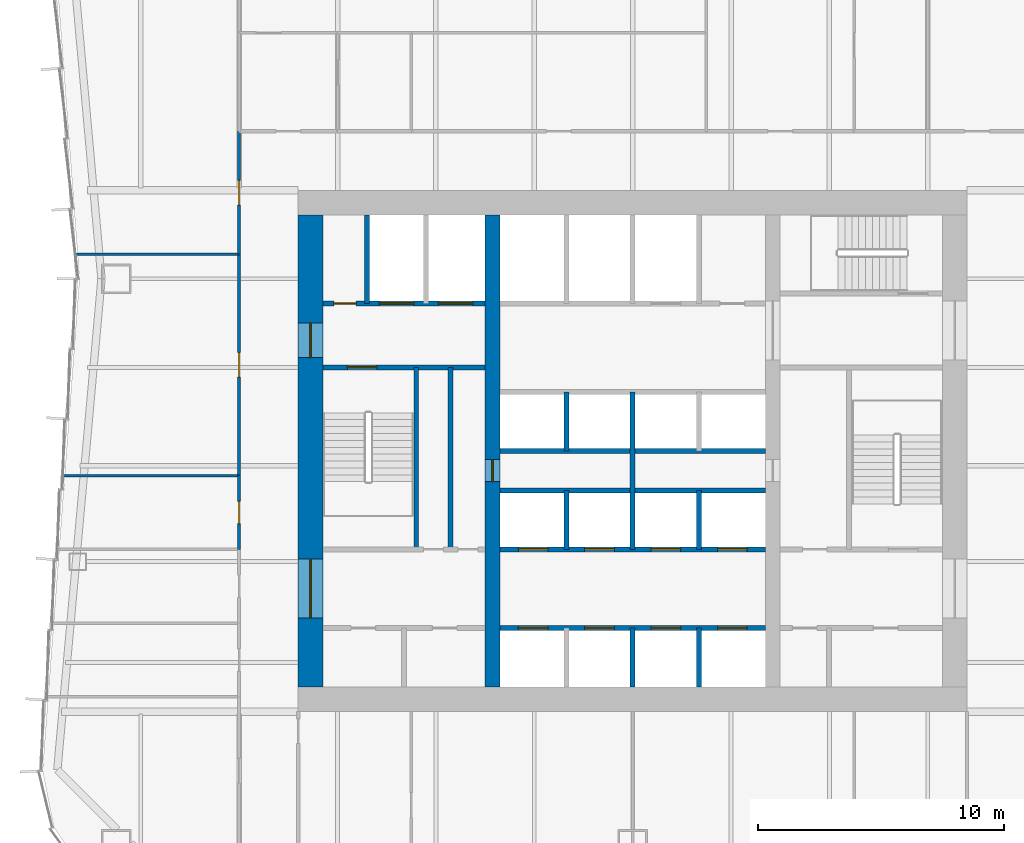
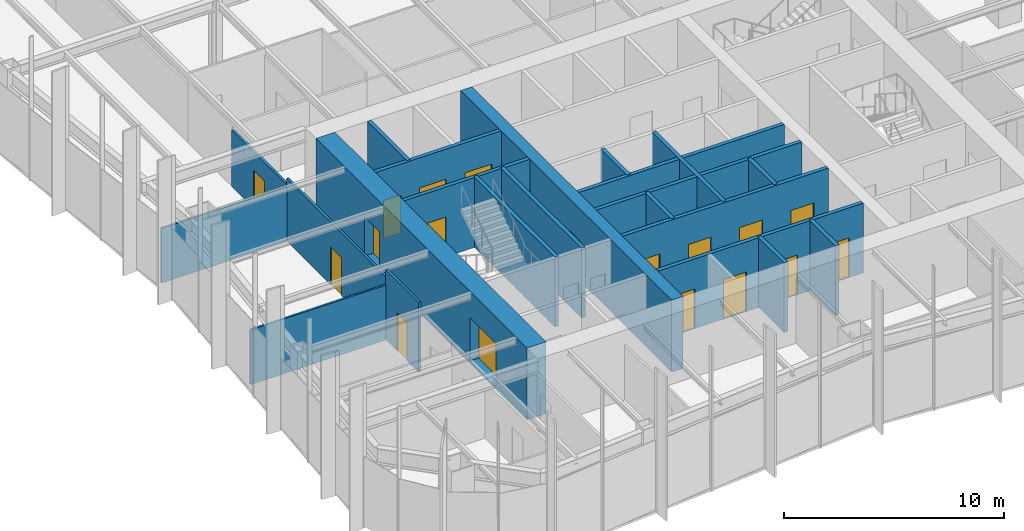
# One storey, part 10 of 14: 22 walls, 18 doors, 18 openings.
"""IFC4 building model written with IfcOpenShell, lengths in metres."""

import ifcopenshell
import ifcopenshell.guid

model = None  # the IFC model being written
_history = None  # IfcOwnerHistory: only IFC2X3 demands one
_inside = {}  # id of a spatial element -> (the spatial element, [elements in it])
_under = {}  # id of a project, library or spatial element -> (it, [spatial elements below it])
_declared = {}  # id of a project -> (the project, [libraries it declares])
_typed = {}  # id of a type object -> (the type object, [elements of that type])
_made_of = {}  # id of a material, layer set ... -> (it, [elements and type objects made of it])


def new_model(schema):
    """Start an empty IFC model of exactly this schema.

    Asked for "IFC4X3", IfcOpenShell would pick the latest addendum, in which some entities
    have other attributes; the version numbers below select the first issue.
    IFC2X3 requires an IfcOwnerHistory on every rooted entity: one is made here for all.
    """
    global model, _history
    if schema == "IFC4X3":
        model = ifcopenshell.file(schema_version=(4, 3, 0, 0))
    else:
        model = ifcopenshell.file(schema=schema)
    _inside.clear()
    _under.clear()
    _declared.clear()
    _typed.clear()
    _made_of.clear()
    _history = None
    if model.schema == "IFC2X3":
        org = make("IfcOrganization", Name="unknown")
        user = make(
            "IfcPersonAndOrganization",
            ThePerson=make("IfcPerson", FamilyName="unknown"),
            TheOrganization=org,
        )
        app = make(
            "IfcApplication",
            ApplicationDeveloper=org,
            Version="unknown",
            ApplicationFullName="unknown",
            ApplicationIdentifier="unknown",
        )
        _history = make(
            "IfcOwnerHistory",
            OwningUser=user,
            OwningApplication=app,
            ChangeAction="ADDED",
            CreationDate=0,
        )
    return model


def make(cls, **values):
    """One entity of the class cls with the attributes given. An attribute that is None is left unset."""
    return model.create_entity(
        cls, **{name: value for name, value in values.items() if value is not None}
    )


def rooted(cls, **values):
    """An entity with a GlobalId (a new one), such as an element, a storey or a relation."""
    return make(cls, GlobalId=ifcopenshell.guid.new(), OwnerHistory=_history, **values)


def si_unit(unit_type, name, prefix=None):
    """IfcSIUnit, for example si_unit("LENGTHUNIT", "METRE", prefix="MILLI")."""
    return make("IfcSIUnit", UnitType=unit_type, Prefix=prefix, Name=name)


def assignment(units):
    """IfcUnitAssignment: the units of a project."""
    return None if units is None else make("IfcUnitAssignment", Units=units)


def point(xyz):
    """IfcCartesianPoint."""
    return None if xyz is None else make("IfcCartesianPoint", Coordinates=xyz)


def direction(xyz):
    """IfcDirection."""
    return None if xyz is None else make("IfcDirection", DirectionRatios=xyz)


def frame(location, z_axis=None, x_axis=None):
    """IfcAxis2Placement3D, a coordinate frame: its origin and axes. An axis left out is left unset."""
    return make(
        "IfcAxis2Placement3D",
        Location=point(location),
        Axis=direction(z_axis),
        RefDirection=direction(x_axis),
    )


def frame_2d(location, x_axis=None):
    """IfcAxis2Placement2D, a coordinate frame in the plane: its origin and x axis."""
    return make(
        "IfcAxis2Placement2D", Location=point(location), RefDirection=direction(x_axis)
    )


def origin():
    """The frame at (0, 0, 0) with its axes left unset."""
    return frame((0.0, 0.0, 0.0))


def place(relative_to, where):
    """IfcLocalPlacement: puts the frame where relative to a parent placement (None: the world)."""
    return make(
        "IfcLocalPlacement", PlacementRelTo=relative_to, RelativePlacement=where
    )


def context(
    kind, dimensions, precision=None, world=None, true_north=None, identifier=None
):
    """IfcGeometricRepresentationContext, for example the 3D "Model" context."""
    return make(
        "IfcGeometricRepresentationContext",
        ContextIdentifier=identifier,
        ContextType=kind,
        CoordinateSpaceDimension=dimensions,
        Precision=precision,
        WorldCoordinateSystem=world,
        TrueNorth=true_north,
    )


def subcontext(parent, identifier, kind, view, scale=None):
    """IfcGeometricRepresentationSubContext, for example "Body" below "Model"."""
    return make(
        "IfcGeometricRepresentationSubContext",
        ContextIdentifier=identifier,
        ContextType=kind,
        ParentContext=parent,
        TargetScale=scale,
        TargetView=view,
    )


def project(units=None, contexts=None):
    """IfcProject with its units and contexts."""
    return rooted(
        "IfcProject",
        Name="project",
        RepresentationContexts=contexts,
        UnitsInContext=assignment(units),
    )


def spatial(cls, under=None, at=None, **own):
    """A site, building, storey or space (cls), placed at a placement, below another one or the project."""
    s = rooted(cls, ObjectPlacement=at, **own)
    if under is not None:
        _under.setdefault(under.id(), (under, []))[1].append(s)
    return s


def profile(cls, at=None, kind="AREA", **sizes):
    """A parametric profile (cls). Its sizes go by their IFC names, for example OverallWidth=200.0."""
    return make(cls, ProfileType=kind, Position=at, **sizes)


def rectangle(**sizes):
    """IfcRectangleProfileDef."""
    return profile("IfcRectangleProfileDef", **sizes)


def extrude(swept, where, along, depth):
    """IfcExtrudedAreaSolid: the profile swept, set in the frame where, extruded along a direction by depth."""
    return make(
        "IfcExtrudedAreaSolid",
        SweptArea=swept,
        Position=where,
        ExtrudedDirection=direction(along),
        Depth=depth,
    )


def shape(context_of_items, identifier, shape_type, items):
    """IfcShapeRepresentation: the items that make up one representation, for example the "Body"."""
    return make(
        "IfcShapeRepresentation",
        ContextOfItems=context_of_items,
        RepresentationIdentifier=identifier,
        RepresentationType=shape_type,
        Items=items,
    )


def material(Name=None, Category=None):
    """IfcMaterial."""
    return make("IfcMaterial", Name=Name, Category=Category)


def layer(
    of_material, thickness, ventilated=None, Name=None, Category=None, Priority=None
):
    """IfcMaterialLayer: one layer of a wall or slab, of a material (None: an air gap)."""
    return make(
        "IfcMaterialLayer",
        Material=of_material,
        LayerThickness=thickness,
        IsVentilated=ventilated,
        Name=Name,
        Category=Category,
        Priority=Priority,
    )


def layer_set(layers, Name=None):
    """IfcMaterialLayerSet."""
    return make("IfcMaterialLayerSet", MaterialLayers=layers, LayerSetName=Name)


def made_of(thing, what):
    """Note that an element or type object is made of a material, layer set ...; save() writes the relation."""
    if what is not None:
        _made_of.setdefault(what.id(), (what, []))[1].append(thing)
    return thing


def type_object(cls, material=None, **own):
    """A type object (cls), such as IfcWallType, which elements share."""
    return made_of(rooted(cls, **own), material)


def element(
    cls,
    number,
    at=None,
    inside=None,
    cuts=None,
    type_object=None,
    material=None,
    context=None,
    identifier="Body",
    shape_type=None,
    held_by="IfcProductDefinitionShape",
    body=None,
    shapes=None,
    **own,
):
    """One element of the class cls, such as IfcWall. Its Tag is "e" and its number.

    at: its placement. inside: the storey or other place that contains it. cuts: it is an
    opening in that element (IfcRelVoidsElement). A single representation is given by context,
    identifier, shape_type and body (its items); several are given by shapes. held_by: the class
    of the entity that holds the representations. save() writes the other relations.
    """
    e = rooted(cls, Tag="e%d" % number, ObjectPlacement=at, **own)
    if body is not None:
        shapes = [shape(context, identifier, shape_type, body)]
    if shapes is not None:
        e.Representation = make(held_by, Representations=shapes)
    if inside is not None:
        _inside.setdefault(inside.id(), (inside, []))[1].append(e)
    if cuts is not None:
        rooted(
            "IfcRelVoidsElement", RelatingBuildingElement=cuts, RelatedOpeningElement=e
        )
    if type_object is not None:
        _typed.setdefault(type_object.id(), (type_object, []))[1].append(e)
    return made_of(e, material)


def fill(opening, filler):
    """IfcRelFillsElement: the door or window that sits in an opening."""
    return rooted(
        "IfcRelFillsElement",
        RelatingOpeningElement=opening,
        RelatedBuildingElement=filler,
    )


def aggregate(whole, parts):
    """IfcRelAggregates: a whole, such as a stair, and the parts it consists of."""
    return rooted("IfcRelAggregates", RelatingObject=whole, RelatedObjects=parts)


def save(model, path):
    """Write the relations noted so far, then the file.

    IfcRelAggregates (storeys below a building ...), IfcRelContainedInSpatialStructure (elements
    in a storey), IfcRelDefinesByType, IfcRelAssociatesMaterial and IfcRelDeclares: one each for
    every whole, place, type object, material and project.
    """
    for whole, parts in _under.values():
        aggregate(whole, parts)
    for where, things in _inside.values():
        rooted(
            "IfcRelContainedInSpatialStructure",
            RelatedElements=things,
            RelatingStructure=where,
        )
    for kind, things in _typed.values():
        rooted("IfcRelDefinesByType", RelatedObjects=things, RelatingType=kind)
    for what, things in _made_of.values():
        rooted("IfcRelAssociatesMaterial", RelatedObjects=things, RelatingMaterial=what)
    for by, libraries in _declared.values():
        rooted("IfcRelDeclares", RelatingContext=by, RelatedDefinitions=libraries)
    model.write(path)


model = new_model("IFC4")

# Units and contexts
model_context = context("Model", 3, precision=1e-05, world=origin(), true_north=direction((0.0, 1.0)))
body_context = subcontext(model_context, "Body", "Model", "MODEL_VIEW")
ifc_project = project(units=[si_unit("LENGTHUNIT", "METRE"), si_unit("AREAUNIT", "SQUARE_METRE"), si_unit("VOLUMEUNIT", "CUBIC_METRE"), si_unit("PLANEANGLEUNIT", "RADIAN"), si_unit("MASSUNIT", "GRAM", prefix="KILO")], contexts=[model_context])

# Site, building, storey
site_placement = place(None, origin())
site = spatial("IfcSite", under=ifc_project, at=site_placement, CompositionType="ELEMENT")
building_placement = place(site_placement, origin())
building = spatial("IfcBuilding", under=site, at=building_placement, Name="Verdant Reach Tower", CompositionType="ELEMENT")
storey_placement = place(building_placement, frame((0.0, 0.0, 162.0)))
storey = spatial("IfcBuildingStorey", under=building, at=storey_placement, Name="L37", CompositionType="ELEMENT", Elevation=162.0)

# Wall
ifc_material_1 = material(Name="Gypsum board on steel studs", Category="steel")
ifc_layer_1 = layer(ifc_material_1, 0.199951171875)
ifc_layer_set_1 = layer_set([ifc_layer_1], Name="CO-WALL-ROOM")
wall_type_1 = type_object("IfcWallType", Name="CO-WALL-ROOM", PredefinedType="PARTITIONING", material=ifc_layer_set_1)
wall_1_placement = place(storey_placement, frame((-7.39990234375, 24.0, 0.0), z_axis=(0.0, 0.0, 1.0), x_axis=(0.0, 1.0, 0.0)))
element("IfcWall", 1, at=wall_1_placement, inside=storey, type_object=wall_type_1, Name="Core partition, L37", PredefinedType="PARTITIONING", context=body_context, shape_type="SweptSolid", body=[
    extrude(rectangle(XDim=7.39990234375, YDim=0.199951171875, at=frame_2d((3.699951171875, 0.0))), origin(), (0.0, 0.0, 1.0), 3.8701171875),
])

# Wall, openings, doors
ifc_material_2 = material(Name="Concrete C40/50", Category="concrete")
ifc_layer_2 = layer(ifc_material_2, 0.199951171875)
ifc_layer_set_2 = layer_set([ifc_layer_2], Name="CO-WALL-SHAFT")
wall_type_2 = type_object("IfcWallType", Name="CO-WALL-SHAFT", PredefinedType="PARTITIONING", material=ifc_layer_set_2)
wall_2_placement = place(storey_placement, frame((-5.39990234375, 20.800048828125, 0.0), z_axis=(0.0, 0.0, 1.0), x_axis=(1.0, 0.0, 0.0)))
wall_2 = element("IfcWall", 2, at=wall_2_placement, inside=storey, type_object=wall_type_2, Name="Lift shaft wall, L37", PredefinedType="PARTITIONING", context=body_context, shape_type="SweptSolid", body=[
    extrude(rectangle(XDim=10.7998046875, YDim=0.199951171875, at=frame_2d((5.39990234375, 0.0))), origin(), (0.0, 0.0, 1.0), 3.8701171875),
])
opening_1_placement = place(wall_2_placement, frame((0.75, 0.0, 0.0)))
opening_1 = element("IfcOpeningElement", 3, at=opening_1_placement, cuts=wall_2, Name="Opening LD-A1", PredefinedType="OPENING", context=body_context, shape_type="SweptSolid", body=[
    extrude(rectangle(XDim=1.199951171875, YDim=2.199951171875, at=frame_2d((0.60009765625, 1.10009765625))), frame((0.0, 0.10986328125, 0.0), z_axis=(0.0, -1.0, 0.0), x_axis=(1.0, 0.0, 0.0)), (0.0, 0.0, 1.0), 0.219970703125),
])
opening_2_placement = place(wall_2_placement, frame((3.449951171875, 0.0, 0.0)))
opening_2 = element("IfcOpeningElement", 4, at=opening_2_placement, cuts=wall_2, Name="Opening LD-A2", PredefinedType="OPENING", context=body_context, shape_type="SweptSolid", body=[
    extrude(rectangle(XDim=1.199951171875, YDim=2.199951171875, at=frame_2d((0.60009765625, 1.10009765625))), frame((0.0, 0.10986328125, 0.0), z_axis=(0.0, -1.0, 0.0), x_axis=(1.0, 0.0, 0.0)), (0.0, 0.0, 1.0), 0.219970703125),
])
opening_3_placement = place(wall_2_placement, frame((6.14990234375, 0.0, 0.0)))
opening_3 = element("IfcOpeningElement", 5, at=opening_3_placement, cuts=wall_2, Name="Opening LD-A3", PredefinedType="OPENING", context=body_context, shape_type="SweptSolid", body=[
    extrude(rectangle(XDim=1.199951171875, YDim=2.199951171875, at=frame_2d((0.60009765625, 1.10009765625))), frame((0.0, 0.10986328125, 0.0), z_axis=(0.0, -1.0, 0.0), x_axis=(1.0, 0.0, 0.0)), (0.0, 0.0, 1.0), 0.219970703125),
])
opening_4_placement = place(wall_2_placement, frame((8.85009765625, 0.0, 0.0)))
opening_4 = element("IfcOpeningElement", 6, at=opening_4_placement, cuts=wall_2, Name="Opening LD-A4", PredefinedType="OPENING", context=body_context, shape_type="SweptSolid", body=[
    extrude(rectangle(XDim=1.199951171875, YDim=2.199951171875, at=frame_2d((0.60009765625, 1.10009765625))), frame((0.0, 0.10986328125, 0.0), z_axis=(0.0, -1.0, 0.0), x_axis=(1.0, 0.0, 0.0)), (0.0, 0.0, 1.0), 0.219970703125),
])
ifc_material_3 = material(Name="Stainless steel", Category="steel")
door_type_1 = type_object("IfcDoorType", Name="CO-DOOR-LANDING", OperationType="SLIDING_TO_LEFT", PredefinedType="DOOR", material=ifc_material_3)
door_1_placement = place(opening_1_placement, origin())
door_1 = element("IfcDoor", 7, at=door_1_placement, inside=storey, type_object=door_type_1, Name="Landing door A1, L37", OperationType="SLIDING_TO_LEFT", OverallHeight=2.199951171875, OverallWidth=1.199951171875, PredefinedType="DOOR", context=body_context, shape_type="SweptSolid", body=[
    extrude(rectangle(XDim=1.199951171875, YDim=2.199951171875, at=frame_2d((0.60009765625, 1.10009765625))), frame((0.0, 0.02490234375, 0.0), z_axis=(0.0, -1.0, 0.0), x_axis=(1.0, 0.0, 0.0)), (0.0, 0.0, 1.0), 0.050048828125),
])
fill(opening_1, door_1)
door_2_placement = place(opening_2_placement, origin())
door_2 = element("IfcDoor", 8, at=door_2_placement, inside=storey, type_object=door_type_1, Name="Landing door A2, L37", OperationType="SLIDING_TO_LEFT", OverallHeight=2.199951171875, OverallWidth=1.199951171875, PredefinedType="DOOR", context=body_context, shape_type="SweptSolid", body=[
    extrude(rectangle(XDim=1.199951171875, YDim=2.199951171875, at=frame_2d((0.60009765625, 1.10009765625))), frame((0.0, 0.02490234375, 0.0), z_axis=(0.0, -1.0, 0.0), x_axis=(1.0, 0.0, 0.0)), (0.0, 0.0, 1.0), 0.050048828125),
])
fill(opening_2, door_2)
door_3_placement = place(opening_3_placement, origin())
door_3 = element("IfcDoor", 9, at=door_3_placement, inside=storey, type_object=door_type_1, Name="Landing door A3, L37", OperationType="SLIDING_TO_LEFT", OverallHeight=2.199951171875, OverallWidth=1.199951171875, PredefinedType="DOOR", context=body_context, shape_type="SweptSolid", body=[
    extrude(rectangle(XDim=1.199951171875, YDim=2.199951171875, at=frame_2d((0.60009765625, 1.10009765625))), frame((0.0, 0.02490234375, 0.0), z_axis=(0.0, -1.0, 0.0), x_axis=(1.0, 0.0, 0.0)), (0.0, 0.0, 1.0), 0.050048828125),
])
fill(opening_3, door_3)
door_4_placement = place(opening_4_placement, origin())
door_4 = element("IfcDoor", 10, at=door_4_placement, inside=storey, type_object=door_type_1, Name="Landing door A4, L37", OperationType="SLIDING_TO_LEFT", OverallHeight=2.199951171875, OverallWidth=1.199951171875, PredefinedType="DOOR", context=body_context, shape_type="SweptSolid", body=[
    extrude(rectangle(XDim=1.199951171875, YDim=2.199951171875, at=frame_2d((0.60009765625, 1.10009765625))), frame((0.0, 0.02490234375, 0.0), z_axis=(0.0, -1.0, 0.0), x_axis=(1.0, 0.0, 0.0)), (0.0, 0.0, 1.0), 0.050048828125),
])
fill(opening_4, door_4)

wall_3_placement = place(storey_placement, frame((-5.39990234375, 24.0, 0.0), z_axis=(0.0, 0.0, 1.0), x_axis=(1.0, 0.0, 0.0)))
wall_3 = element("IfcWall", 11, at=wall_3_placement, inside=storey, type_object=wall_type_2, Name="Lift shaft wall, L37", PredefinedType="PARTITIONING", context=body_context, shape_type="SweptSolid", body=[
    extrude(rectangle(XDim=10.7998046875, YDim=0.199951171875, at=frame_2d((5.39990234375, 0.0))), origin(), (0.0, 0.0, 1.0), 3.8701171875),
])
opening_5_placement = place(wall_3_placement, frame((0.75, 0.0, 0.0)))
opening_5 = element("IfcOpeningElement", 12, at=opening_5_placement, cuts=wall_3, Name="Opening LD-A5", PredefinedType="OPENING", context=body_context, shape_type="SweptSolid", body=[
    extrude(rectangle(XDim=1.199951171875, YDim=2.199951171875, at=frame_2d((0.60009765625, 1.10009765625))), frame((0.0, 0.10986328125, 0.0), z_axis=(0.0, -1.0, 0.0), x_axis=(1.0, 0.0, 0.0)), (0.0, 0.0, 1.0), 0.219970703125),
])
opening_6_placement = place(wall_3_placement, frame((3.449951171875, 0.0, 0.0)))
opening_6 = element("IfcOpeningElement", 13, at=opening_6_placement, cuts=wall_3, Name="Opening LD-A6", PredefinedType="OPENING", context=body_context, shape_type="SweptSolid", body=[
    extrude(rectangle(XDim=1.199951171875, YDim=2.199951171875, at=frame_2d((0.60009765625, 1.10009765625))), frame((0.0, 0.10986328125, 0.0), z_axis=(0.0, -1.0, 0.0), x_axis=(1.0, 0.0, 0.0)), (0.0, 0.0, 1.0), 0.219970703125),
])
opening_7_placement = place(wall_3_placement, frame((6.14990234375, 0.0, 0.0)))
opening_7 = element("IfcOpeningElement", 14, at=opening_7_placement, cuts=wall_3, Name="Opening LD-A7", PredefinedType="OPENING", context=body_context, shape_type="SweptSolid", body=[
    extrude(rectangle(XDim=1.199951171875, YDim=2.199951171875, at=frame_2d((0.60009765625, 1.10009765625))), frame((0.0, 0.10986328125, 0.0), z_axis=(0.0, -1.0, 0.0), x_axis=(1.0, 0.0, 0.0)), (0.0, 0.0, 1.0), 0.219970703125),
])
opening_8_placement = place(wall_3_placement, frame((8.85009765625, 0.0, 0.0)))
opening_8 = element("IfcOpeningElement", 15, at=opening_8_placement, cuts=wall_3, Name="Opening LD-A8", PredefinedType="OPENING", context=body_context, shape_type="SweptSolid", body=[
    extrude(rectangle(XDim=1.199951171875, YDim=2.199951171875, at=frame_2d((0.60009765625, 1.10009765625))), frame((0.0, 0.10986328125, 0.0), z_axis=(0.0, -1.0, 0.0), x_axis=(1.0, 0.0, 0.0)), (0.0, 0.0, 1.0), 0.219970703125),
])
door_5_placement = place(opening_5_placement, origin())
door_5 = element("IfcDoor", 16, at=door_5_placement, inside=storey, type_object=door_type_1, Name="Landing door A5, L37", OperationType="SLIDING_TO_LEFT", OverallHeight=2.199951171875, OverallWidth=1.199951171875, PredefinedType="DOOR", context=body_context, shape_type="SweptSolid", body=[
    extrude(rectangle(XDim=1.199951171875, YDim=2.199951171875, at=frame_2d((0.60009765625, 1.10009765625))), frame((0.0, 0.02490234375, 0.0), z_axis=(0.0, -1.0, 0.0), x_axis=(1.0, 0.0, 0.0)), (0.0, 0.0, 1.0), 0.050048828125),
])
fill(opening_5, door_5)
door_6_placement = place(opening_6_placement, origin())
door_6 = element("IfcDoor", 17, at=door_6_placement, inside=storey, type_object=door_type_1, Name="Landing door A6, L37", OperationType="SLIDING_TO_LEFT", OverallHeight=2.199951171875, OverallWidth=1.199951171875, PredefinedType="DOOR", context=body_context, shape_type="SweptSolid", body=[
    extrude(rectangle(XDim=1.199951171875, YDim=2.199951171875, at=frame_2d((0.60009765625, 1.10009765625))), frame((0.0, 0.02490234375, 0.0), z_axis=(0.0, -1.0, 0.0), x_axis=(1.0, 0.0, 0.0)), (0.0, 0.0, 1.0), 0.050048828125),
])
fill(opening_6, door_6)
door_7_placement = place(opening_7_placement, origin())
door_7 = element("IfcDoor", 18, at=door_7_placement, inside=storey, type_object=door_type_1, Name="Landing door A7, L37", OperationType="SLIDING_TO_LEFT", OverallHeight=2.199951171875, OverallWidth=1.199951171875, PredefinedType="DOOR", context=body_context, shape_type="SweptSolid", body=[
    extrude(rectangle(XDim=1.199951171875, YDim=2.199951171875, at=frame_2d((0.60009765625, 1.10009765625))), frame((0.0, 0.02490234375, 0.0), z_axis=(0.0, -1.0, 0.0), x_axis=(1.0, 0.0, 0.0)), (0.0, 0.0, 1.0), 0.050048828125),
])
fill(opening_7, door_7)
door_8_placement = place(opening_8_placement, origin())
door_8 = element("IfcDoor", 19, at=door_8_placement, inside=storey, type_object=door_type_1, Name="Landing door A8, L37", OperationType="SLIDING_TO_LEFT", OverallHeight=2.199951171875, OverallWidth=1.199951171875, PredefinedType="DOOR", context=body_context, shape_type="SweptSolid", body=[
    extrude(rectangle(XDim=1.199951171875, YDim=2.199951171875, at=frame_2d((0.60009765625, 1.10009765625))), frame((0.0, 0.02490234375, 0.0), z_axis=(0.0, -1.0, 0.0), x_axis=(1.0, 0.0, 0.0)), (0.0, 0.0, 1.0), 0.050048828125),
])
fill(opening_8, door_8)

# Walls
for number, where, z_axis, x_axis, name in (
    (20, (-5.39990234375, 26.39990234375, 0.0), (0.0, 0.0, 1.0), (1.0, 0.0, 0.0), "Lift shaft wall, L37"),
    (21, (-5.39990234375, 28.0, 0.0), (0.0, 0.0, 1.0), (1.0, 0.0, 0.0), "Lift shaft wall, L37"),
):
    element("IfcWall", number, at=place(storey_placement, frame(where, z_axis=z_axis, x_axis=x_axis)), inside=storey, type_object=wall_type_2, Name=name, PredefinedType="PARTITIONING", context=body_context, shape_type="SweptSolid", body=[
        extrude(rectangle(XDim=10.7998046875, YDim=0.199951171875, at=frame_2d((5.39990234375, 0.0))), origin(), (0.0, 0.0, 1.0), 3.8701171875),
    ])

# Wall, openings, doors
wall_4_placement = place(storey_placement, frame((-12.60009765625, 34.0, 0.0), z_axis=(0.0, 0.0, 1.0), x_axis=(1.0, 0.0, 0.0)))
wall_4 = element("IfcWall", 22, at=wall_4_placement, inside=storey, type_object=wall_type_2, Name="Lift shaft wall, L37", PredefinedType="PARTITIONING", context=body_context, shape_type="SweptSolid", body=[
    extrude(rectangle(XDim=6.60009765625, YDim=0.199951171875, at=frame_2d((3.300048828125, 0.0))), origin(), (0.0, 0.0, 1.0), 3.8701171875),
])
opening_9_placement = place(wall_4_placement, frame((4.699951171875, 0.0, 0.0)))
opening_9 = element("IfcOpeningElement", 23, at=opening_9_placement, cuts=wall_4, Name="Opening LD-F1", PredefinedType="OPENING", context=body_context, shape_type="SweptSolid", body=[
    extrude(rectangle(XDim=1.39990234375, YDim=2.199951171875, at=frame_2d((0.699951171875, 1.10009765625))), frame((0.0, 0.10986328125, 0.0), z_axis=(0.0, -1.0, 0.0), x_axis=(1.0, 0.0, 0.0)), (0.0, 0.0, 1.0), 0.219970703125),
])
opening_10_placement = place(wall_4_placement, frame((2.300048828125, 0.0, 0.0)))
opening_10 = element("IfcOpeningElement", 24, at=opening_10_placement, cuts=wall_4, Name="Opening LD-F2", PredefinedType="OPENING", context=body_context, shape_type="SweptSolid", body=[
    extrude(rectangle(XDim=1.39990234375, YDim=2.199951171875, at=frame_2d((0.699951171875, 1.10009765625))), frame((0.0, 0.10986328125, 0.0), z_axis=(0.0, -1.0, 0.0), x_axis=(1.0, 0.0, 0.0)), (0.0, 0.0, 1.0), 0.219970703125),
])
opening_11_placement = place(wall_4_placement, frame((0.449951171875, 0.0, 0.0)))
opening_11 = element("IfcOpeningElement", 25, at=opening_11_placement, cuts=wall_4, Name="Opening RD", PredefinedType="OPENING", context=body_context, shape_type="SweptSolid", body=[
    extrude(rectangle(XDim=0.89990234375, YDim=2.10009765625, at=frame_2d((0.449951171875, 1.050048828125))), frame((0.0, 0.10986328125, 0.0), z_axis=(0.0, -1.0, 0.0), x_axis=(1.0, 0.0, 0.0)), (0.0, 0.0, 1.0), 0.219970703125),
])
door_type_2 = type_object("IfcDoorType", Name="CO-DOOR-LANDING-FF", OperationType="SLIDING_TO_LEFT", PredefinedType="DOOR", material=ifc_material_3)
door_9_placement = place(opening_9_placement, origin())
door_9 = element("IfcDoor", 26, at=door_9_placement, inside=storey, type_object=door_type_2, Name="Landing door F1, L37", OperationType="SLIDING_TO_LEFT", OverallHeight=2.199951171875, OverallWidth=1.39990234375, PredefinedType="DOOR", context=body_context, shape_type="SweptSolid", body=[
    extrude(rectangle(XDim=1.39990234375, YDim=2.199951171875, at=frame_2d((0.699951171875, 1.10009765625))), frame((0.0, 0.02490234375, 0.0), z_axis=(0.0, -1.0, 0.0), x_axis=(1.0, 0.0, 0.0)), (0.0, 0.0, 1.0), 0.050048828125),
])
fill(opening_9, door_9)
door_10_placement = place(opening_10_placement, origin())
door_10 = element("IfcDoor", 27, at=door_10_placement, inside=storey, type_object=door_type_2, Name="Landing door F2, L37", OperationType="SLIDING_TO_LEFT", OverallHeight=2.199951171875, OverallWidth=1.39990234375, PredefinedType="DOOR", context=body_context, shape_type="SweptSolid", body=[
    extrude(rectangle(XDim=1.39990234375, YDim=2.199951171875, at=frame_2d((0.699951171875, 1.10009765625))), frame((0.0, 0.02490234375, 0.0), z_axis=(0.0, -1.0, 0.0), x_axis=(1.0, 0.0, 0.0)), (0.0, 0.0, 1.0), 0.050048828125),
])
fill(opening_10, door_10)
ifc_material_4 = material(Name="Steel", Category="steel")
door_type_3 = type_object("IfcDoorType", Name="CO-DOOR-RISER", OperationType="NOTDEFINED", PredefinedType="DOOR", material=ifc_material_4)
door_11_placement = place(opening_11_placement, origin())
door_11 = element("IfcDoor", 28, at=door_11_placement, inside=storey, type_object=door_type_3, Name="Core room door, L37", OperationType="SINGLE_SWING_RIGHT", OverallHeight=2.10009765625, OverallWidth=0.89990234375, PredefinedType="DOOR", context=body_context, shape_type="SweptSolid", body=[
    extrude(rectangle(XDim=0.89990234375, YDim=2.10009765625, at=frame_2d((0.449951171875, 1.050048828125))), frame((0.0, 0.02490234375, 0.0), z_axis=(0.0, -1.0, 0.0), x_axis=(1.0, 0.0, 0.0)), (0.0, 0.0, 1.0), 0.050048828125),
])
fill(opening_11, door_11)

# Walls
wall_5_placement = place(storey_placement, frame((-10.800048828125, 34.0, 0.0), z_axis=(0.0, 0.0, 1.0), x_axis=(0.0, 1.0, 0.0)))
element("IfcWall", 29, at=wall_5_placement, inside=storey, type_object=wall_type_2, Name="Lift shaft wall, L37", PredefinedType="PARTITIONING", context=body_context, shape_type="SweptSolid", body=[
    extrude(rectangle(XDim=3.60009765625, YDim=0.199951171875, at=frame_2d((1.800048828125, 0.0))), origin(), (0.0, 0.0, 1.0), 3.8701171875),
])
for number, where, z_axis, x_axis, name in (
    (30, (-2.699951171875, 24.0, 0.0), (0.0, 0.0, 1.0), (0.0, 1.0, 0.0), "Lift shaft wall, L37"),
    (31, (-2.699951171875, 28.0, 0.0), (0.0, 0.0, 1.0), (0.0, 1.0, 0.0), "Lift shaft wall, L37"),
):
    element("IfcWall", number, at=place(storey_placement, frame(where, z_axis=z_axis, x_axis=x_axis)), inside=storey, type_object=wall_type_2, Name=name, PredefinedType="PARTITIONING", context=body_context, shape_type="SweptSolid", body=[
        extrude(rectangle(XDim=2.39990234375, YDim=0.199951171875, at=frame_2d((1.199951171875, 0.0))), origin(), (0.0, 0.0, 1.0), 3.8701171875),
    ])
wall_6_placement = place(storey_placement, frame((0.0, 18.39990234375, 0.0), z_axis=(0.0, 0.0, 1.0), x_axis=(0.0, 1.0, 0.0)))
element("IfcWall", 32, at=wall_6_placement, inside=storey, type_object=wall_type_2, Name="Lift shaft wall, L37", PredefinedType="PARTITIONING", context=body_context, shape_type="SweptSolid", body=[
    extrude(rectangle(XDim=2.400146484375, YDim=0.199951171875, at=frame_2d((1.2001953125, 0.0))), origin(), (0.0, 0.0, 1.0), 3.8701171875),
])
wall_7_placement = place(storey_placement, frame((0.0, 24.0, 0.0), z_axis=(0.0, 0.0, 1.0), x_axis=(0.0, 1.0, 0.0)))
element("IfcWall", 33, at=wall_7_placement, inside=storey, type_object=wall_type_2, Name="Lift shaft wall, L37", PredefinedType="PARTITIONING", context=body_context, shape_type="SweptSolid", body=[
    extrude(rectangle(XDim=6.39990234375, YDim=0.199951171875, at=frame_2d((3.199951171875, 0.0))), origin(), (0.0, 0.0, 1.0), 3.8701171875),
])
wall_8_placement = place(storey_placement, frame((2.699951171875, 18.39990234375, 0.0), z_axis=(0.0, 0.0, 1.0), x_axis=(0.0, 1.0, 0.0)))
element("IfcWall", 34, at=wall_8_placement, inside=storey, type_object=wall_type_2, Name="Lift shaft wall, L37", PredefinedType="PARTITIONING", context=body_context, shape_type="SweptSolid", body=[
    extrude(rectangle(XDim=2.400146484375, YDim=0.199951171875, at=frame_2d((1.2001953125, 0.0))), origin(), (0.0, 0.0, 1.0), 3.8701171875),
])
wall_9_placement = place(storey_placement, frame((2.699951171875, 24.0, 0.0), z_axis=(0.0, 0.0, 1.0), x_axis=(0.0, 1.0, 0.0)))
element("IfcWall", 35, at=wall_9_placement, inside=storey, type_object=wall_type_2, Name="Lift shaft wall, L37", PredefinedType="PARTITIONING", context=body_context, shape_type="SweptSolid", body=[
    extrude(rectangle(XDim=2.39990234375, YDim=0.199951171875, at=frame_2d((1.199951171875, 0.0))), origin(), (0.0, 0.0, 1.0), 3.8701171875),
])

# Wall, opening, door
ifc_layer_3 = layer(ifc_material_2, 0.199951171875)
ifc_layer_set_3 = layer_set([ifc_layer_3], Name="CO-WALL-STAIR")
wall_type_3 = type_object("IfcWallType", Name="CO-WALL-STAIR", PredefinedType="PARTITIONING", material=ifc_layer_set_3)
wall_10_placement = place(storey_placement, frame((-12.60009765625, 31.39990234375, 0.0), z_axis=(0.0, 0.0, 1.0), x_axis=(1.0, 0.0, 0.0)))
wall_10 = element("IfcWall", 36, at=wall_10_placement, inside=storey, type_object=wall_type_3, Name="Stair enclosure wall, L37", PredefinedType="PARTITIONING", context=body_context, shape_type="SweptSolid", body=[
    extrude(rectangle(XDim=6.60009765625, YDim=0.199951171875, at=frame_2d((3.300048828125, 0.0))), origin(), (0.0, 0.0, 1.0), 3.8701171875),
])
opening_12_placement = place(wall_10_placement, frame((1.0, 0.0, 0.0)))
opening_12 = element("IfcOpeningElement", 37, at=opening_12_placement, cuts=wall_10, Name="Opening SD", PredefinedType="OPENING", context=body_context, shape_type="SweptSolid", body=[
    extrude(rectangle(XDim=1.199951171875, YDim=2.199951171875, at=frame_2d((0.60009765625, 1.10009765625))), frame((0.0, 0.10986328125, 0.0), z_axis=(0.0, -1.0, 0.0), x_axis=(1.0, 0.0, 0.0)), (0.0, 0.0, 1.0), 0.219970703125),
])
door_type_4 = type_object("IfcDoorType", Name="CO-DOOR-STAIR", OperationType="NOTDEFINED", PredefinedType="DOOR", material=ifc_material_4)
door_12_placement = place(opening_12_placement, origin())
door_12 = element("IfcDoor", 38, at=door_12_placement, inside=storey, type_object=door_type_4, Name="Stair door, L37", OperationType="SINGLE_SWING_RIGHT", OverallHeight=2.199951171875, OverallWidth=1.199951171875, PredefinedType="DOOR", context=body_context, shape_type="SweptSolid", body=[
    extrude(rectangle(XDim=1.199951171875, YDim=2.199951171875, at=frame_2d((0.60009765625, 1.10009765625))), frame((0.0, 0.02490234375, 0.0), z_axis=(0.0, -1.0, 0.0), x_axis=(1.0, 0.0, 0.0)), (0.0, 0.0, 1.0), 0.050048828125),
])
fill(opening_12, door_12)

# Walls
wall_11_placement = place(storey_placement, frame((-8.800048828125, 24.0, 0.0), z_axis=(0.0, 0.0, 1.0), x_axis=(0.0, 1.0, 0.0)))
element("IfcWall", 39, at=wall_11_placement, inside=storey, type_object=wall_type_3, Name="Stair enclosure wall, L37", PredefinedType="PARTITIONING", context=body_context, shape_type="SweptSolid", body=[
    extrude(rectangle(XDim=7.39990234375, YDim=0.199951171875, at=frame_2d((3.699951171875, 0.0))), origin(), (0.0, 0.0, 1.0), 3.8701171875),
])
ifc_layer_4 = layer(ifc_material_1, 0.10009765625)
ifc_layer_set_4 = layer_set([ifc_layer_4], Name="FL-W1 Partition 100")
wall_type_4 = type_object("IfcWallType", Name="FL-W1 Partition 100", PredefinedType="PARTITIONING", material=ifc_layer_set_4)
wall_12_placement = place(storey_placement, frame((-16.0, 27.0, 0.0), z_axis=(0.0, 0.0, 1.0), x_axis=(-1.0, 0.0, 0.0)))
element("IfcWall", 40, at=wall_12_placement, inside=storey, type_object=wall_type_4, Name="Partition 37.24", PredefinedType="PARTITIONING", context=body_context, shape_type="SweptSolid", body=[
    extrude(rectangle(XDim=7.179931640625, YDim=0.10009765625, at=frame_2d((3.58984375, 0.0))), origin(), (0.0, 0.0, 1.0), 3.0400390625),
])
wall_13_placement = place(storey_placement, frame((-16.0, 36.0, 0.0), z_axis=(0.0, 0.0, 1.0), x_axis=(-1.0, 0.0, 0.0)))
element("IfcWall", 41, at=wall_13_placement, inside=storey, type_object=wall_type_4, Name="Partition 37.25", PredefinedType="PARTITIONING", context=body_context, shape_type="SweptSolid", body=[
    extrude(rectangle(XDim=6.655029296875, YDim=0.10009765625, at=frame_2d((3.32763671875, 0.0))), origin(), (0.0, 0.0, 1.0), 3.0400390625),
])

# Wall, opening, door
ifc_material_5 = material(Name="Gypsum board on steel studs, fire rated", Category="steel")
ifc_layer_5 = layer(ifc_material_5, 0.125)
ifc_layer_set_5 = layer_set([ifc_layer_5], Name="FL-W2 Corridor wall 125")
wall_type_5 = type_object("IfcWallType", Name="FL-W2 Corridor wall 125", PredefinedType="PARTITIONING", material=ifc_layer_set_5)
wall_14_placement = place(storey_placement, frame((-16.0, 24.0, 0.0), z_axis=(0.0, 0.0, 1.0), x_axis=(0.0, 1.0, 0.0)))
wall_14 = element("IfcWall", 42, at=wall_14_placement, inside=storey, type_object=wall_type_5, Name="Partition 37.05", PredefinedType="PARTITIONING", context=body_context, shape_type="SweptSolid", body=[
    extrude(rectangle(XDim=3.0, YDim=0.125, at=frame_2d((1.5, 0.0))), origin(), (0.0, 0.0, 1.0), 3.8701171875),
])
opening_13_placement = place(wall_14_placement, frame((1.050048828125, 0.0, 0.0)))
opening_13 = element("IfcOpeningElement", 43, at=opening_13_placement, cuts=wall_14, Name="Opening D1", PredefinedType="OPENING", context=body_context, shape_type="SweptSolid", body=[
    extrude(rectangle(XDim=0.89990234375, YDim=2.10009765625, at=frame_2d((0.449951171875, 1.050048828125))), frame((0.0, 0.072509765625, 0.0), z_axis=(0.0, -1.0, 0.0), x_axis=(1.0, 0.0, 0.0)), (0.0, 0.0, 1.0), 0.14501953125),
])
ifc_material_6 = material(Name="Painted timber door leaf", Category="wood")
door_type_5 = type_object("IfcDoorType", Name="FL-D1 Door 900x2100", OperationType="NOTDEFINED", PredefinedType="DOOR", material=ifc_material_6)
door_13_placement = place(opening_13_placement, origin())
door_13 = element("IfcDoor", 44, at=door_13_placement, inside=storey, type_object=door_type_5, Name="Door 37-005", OperationType="SINGLE_SWING_LEFT", OverallHeight=2.10009765625, OverallWidth=0.89990234375, PredefinedType="DOOR", context=body_context, shape_type="SweptSolid", body=[
    extrude(rectangle(XDim=0.89990234375, YDim=2.10009765625, at=frame_2d((0.449951171875, 1.050048828125))), frame((0.0, 0.02490234375, 0.0), z_axis=(0.0, -1.0, 0.0), x_axis=(1.0, 0.0, 0.0)), (0.0, 0.0, 1.0), 0.050048828125),
])
fill(opening_13, door_13)

wall_15_placement = place(storey_placement, frame((-16.0, 27.0, 0.0), z_axis=(0.0, 0.0, 1.0), x_axis=(0.0, 1.0, 0.0)))
wall_15 = element("IfcWall", 45, at=wall_15_placement, inside=storey, type_object=wall_type_5, Name="Partition 37.06", PredefinedType="PARTITIONING", context=body_context, shape_type="SweptSolid", body=[
    extrude(rectangle(XDim=9.0, YDim=0.125, at=frame_2d((4.5, 0.0))), origin(), (0.0, 0.0, 1.0), 3.47998046875),
])
opening_14_placement = place(wall_15_placement, frame((4.0, 0.0, 0.0)))
opening_14 = element("IfcOpeningElement", 46, at=opening_14_placement, cuts=wall_15, Name="Opening D2", PredefinedType="OPENING", context=body_context, shape_type="SweptSolid", body=[
    extrude(rectangle(XDim=1.0, YDim=2.10009765625, at=frame_2d((0.5, 1.050048828125))), frame((0.0, 0.072509765625, 0.0), z_axis=(0.0, -1.0, 0.0), x_axis=(1.0, 0.0, 0.0)), (0.0, 0.0, 1.0), 0.14501953125),
])
ifc_material_7 = material(Name="Timber door leaf, fire rated", Category="wood")
door_type_6 = type_object("IfcDoorType", Name="FL-D2 Entrance door 1000x2100 FD30", OperationType="NOTDEFINED", PredefinedType="DOOR", material=ifc_material_7)
door_14_placement = place(opening_14_placement, origin())
door_14 = element("IfcDoor", 47, at=door_14_placement, inside=storey, type_object=door_type_6, Name="Door 37-006", OperationType="SINGLE_SWING_RIGHT", OverallHeight=2.10009765625, OverallWidth=1.0, PredefinedType="DOOR", context=body_context, shape_type="SweptSolid", body=[
    extrude(rectangle(XDim=1.0, YDim=2.10009765625, at=frame_2d((0.5, 1.050048828125))), frame((0.0, 0.02490234375, 0.0), z_axis=(0.0, -1.0, 0.0), x_axis=(1.0, 0.0, 0.0)), (0.0, 0.0, 1.0), 0.050048828125),
])
fill(opening_14, door_14)

wall_16_placement = place(storey_placement, frame((-16.0, 36.0, 0.0), z_axis=(0.0, 0.0, 1.0), x_axis=(0.0, 1.0, 0.0)))
wall_16 = element("IfcWall", 48, at=wall_16_placement, inside=storey, type_object=wall_type_5, Name="Partition 37.07", PredefinedType="PARTITIONING", context=body_context, shape_type="SweptSolid", body=[
    extrude(rectangle(XDim=5.00390625, YDim=0.125, at=frame_2d((2.501953125, 0.0))), origin(), (0.0, 0.0, 1.0), 3.139892578125),
])
opening_15_placement = place(wall_16_placement, frame((2.001953125, 0.0, 0.0)))
opening_15 = element("IfcOpeningElement", 49, at=opening_15_placement, cuts=wall_16, Name="Opening D2", PredefinedType="OPENING", context=body_context, shape_type="SweptSolid", body=[
    extrude(rectangle(XDim=1.0, YDim=2.10009765625, at=frame_2d((0.5, 1.050048828125))), frame((0.0, 0.072509765625, 0.0), z_axis=(0.0, -1.0, 0.0), x_axis=(1.0, 0.0, 0.0)), (0.0, 0.0, 1.0), 0.14501953125),
])
door_15_placement = place(opening_15_placement, origin())
door_15 = element("IfcDoor", 50, at=door_15_placement, inside=storey, type_object=door_type_6, Name="Door 37-007", OperationType="SINGLE_SWING_LEFT", OverallHeight=2.10009765625, OverallWidth=1.0, PredefinedType="DOOR", context=body_context, shape_type="SweptSolid", body=[
    extrude(rectangle(XDim=1.0, YDim=2.10009765625, at=frame_2d((0.5, 1.050048828125))), frame((0.0, 0.02490234375, 0.0), z_axis=(0.0, -1.0, 0.0), x_axis=(1.0, 0.0, 0.0)), (0.0, 0.0, 1.0), 0.050048828125),
])
fill(opening_15, door_15)

# Wall, openings, doors
ifc_material_8 = material(Name="Concrete C70/85", Category="concrete")
ifc_layer_6 = layer(ifc_material_8, 1.0)
ifc_layer_set_6 = layer_set([ifc_layer_6], Name="ST-CORE-WALL-1000")
wall_type_6 = type_object("IfcWallType", Name="ST-CORE-WALL-1000", PredefinedType="SHEAR", material=ifc_layer_set_6)
wall_17_placement = place(storey_placement, frame((-13.10009765625, 18.39990234375, -0.1298828125), z_axis=(0.0, 0.0, 1.0), x_axis=(0.0, 1.0, 0.0)))
wall_17 = element("IfcWall", 51, at=wall_17_placement, inside=storey, type_object=wall_type_6, Name="Core wall W, L37", PredefinedType="SHEAR", context=body_context, shape_type="SweptSolid", body=[
    extrude(rectangle(XDim=19.2001953125, YDim=1.0, at=frame_2d((9.60009765625, 0.0))), origin(), (0.0, 0.0, 1.0), 4.0),
])
opening_16_placement = place(wall_17_placement, frame((2.800048828125, 0.0, 0.1298828125)))
opening_16 = element("IfcOpeningElement", 52, at=opening_16_placement, cuts=wall_17, Name="Opening LB", PredefinedType="OPENING", context=body_context, shape_type="SweptSolid", body=[
    extrude(rectangle(XDim=2.39990234375, YDim=2.39990234375, at=frame_2d((1.199951171875, 1.199951171875))), frame((0.0, 0.510009765625, 0.0), z_axis=(0.0, -1.0, 0.0), x_axis=(1.0, 0.0, 0.0)), (0.0, 0.0, 1.0), 1.02001953125),
])
opening_17_placement = place(wall_17_placement, frame((13.39990234375, 0.0, 0.1298828125)))
opening_17 = element("IfcOpeningElement", 53, at=opening_17_placement, cuts=wall_17, Name="Opening FL", PredefinedType="OPENING", context=body_context, shape_type="SweptSolid", body=[
    extrude(rectangle(XDim=1.39990234375, YDim=2.199951171875, at=frame_2d((0.699951171875, 1.10009765625))), frame((0.0, 0.510009765625, 0.0), z_axis=(0.0, -1.0, 0.0), x_axis=(1.0, 0.0, 0.0)), (0.0, 0.0, 1.0), 1.02001953125),
])
door_type_7 = type_object("IfcDoorType", Name="CO-DOOR-FFL", OperationType="NOTDEFINED", PredefinedType="DOOR", material=ifc_material_4)
door_16_placement = place(opening_17_placement, origin())
door_16 = element("IfcDoor", 54, at=door_16_placement, inside=storey, type_object=door_type_7, Name="Core entrance door, L37", OperationType="SINGLE_SWING_RIGHT", OverallHeight=2.199951171875, OverallWidth=1.39990234375, PredefinedType="DOOR", context=body_context, shape_type="SweptSolid", body=[
    extrude(rectangle(XDim=1.39990234375, YDim=2.199951171875, at=frame_2d((0.699951171875, 1.10009765625))), frame((0.0, 0.02490234375, 0.0), z_axis=(0.0, -1.0, 0.0), x_axis=(1.0, 0.0, 0.0)), (0.0, 0.0, 1.0), 0.050048828125),
])
fill(opening_17, door_16)
ifc_material_9 = material(Name="Glass and steel", Category="steel")
door_type_8 = type_object("IfcDoorType", Name="CO-DOOR-LOBBY", OperationType="DOUBLE_DOOR_SINGLE_SWING", PredefinedType="DOOR", material=ifc_material_9)
door_17_placement = place(opening_16_placement, origin())
door_17 = element("IfcDoor", 55, at=door_17_placement, inside=storey, type_object=door_type_8, Name="Core entrance door, L37", OperationType="DOUBLE_DOOR_SINGLE_SWING", OverallHeight=2.39990234375, OverallWidth=2.39990234375, PredefinedType="DOOR", context=body_context, shape_type="SweptSolid", body=[
    extrude(rectangle(XDim=2.39990234375, YDim=2.39990234375, at=frame_2d((1.199951171875, 1.199951171875))), frame((0.0, 0.02490234375, 0.0), z_axis=(0.0, -1.0, 0.0), x_axis=(1.0, 0.0, 0.0)), (0.0, 0.0, 1.0), 0.050048828125),
])
fill(opening_16, door_17)

# Wall, opening, door
ifc_layer_7 = layer(ifc_material_8, 0.60009765625)
ifc_layer_set_7 = layer_set([ifc_layer_7], Name="ST-CORE-WALL-600")
wall_type_7 = type_object("IfcWallType", Name="ST-CORE-WALL-600", PredefinedType="SHEAR", material=ifc_layer_set_7)
wall_18_placement = place(storey_placement, frame((-5.699951171875, 18.39990234375, -0.1298828125), z_axis=(0.0, 0.0, 1.0), x_axis=(0.0, 1.0, 0.0)))
wall_18 = element("IfcWall", 56, at=wall_18_placement, inside=storey, type_object=wall_type_7, Name="Core wall XW, L37", PredefinedType="SHEAR", context=body_context, shape_type="SweptSolid", body=[
    extrude(rectangle(XDim=19.2001953125, YDim=0.60009765625, at=frame_2d((9.60009765625, 0.0))), origin(), (0.0, 0.0, 1.0), 4.0),
])
opening_18_placement = place(wall_18_placement, frame((8.35009765625, 0.0, 0.1298828125)))
opening_18 = element("IfcOpeningElement", 57, at=opening_18_placement, cuts=wall_18, Name="Opening RD", PredefinedType="OPENING", context=body_context, shape_type="SweptSolid", body=[
    extrude(rectangle(XDim=0.89990234375, YDim=2.10009765625, at=frame_2d((0.449951171875, 1.050048828125))), frame((0.0, 0.31005859375, 0.0), z_axis=(0.0, -1.0, 0.0), x_axis=(1.0, 0.0, 0.0)), (0.0, 0.0, 1.0), 0.6201171875),
])
door_18_placement = place(opening_18_placement, origin())
door_18 = element("IfcDoor", 58, at=door_18_placement, inside=storey, type_object=door_type_3, Name="Riser door, L37", OperationType="SINGLE_SWING_LEFT", OverallHeight=2.10009765625, OverallWidth=0.89990234375, PredefinedType="DOOR", context=body_context, shape_type="SweptSolid", body=[
    extrude(rectangle(XDim=0.89990234375, YDim=2.10009765625, at=frame_2d((0.449951171875, 1.050048828125))), frame((0.0, 0.02490234375, 0.0), z_axis=(0.0, -1.0, 0.0), x_axis=(1.0, 0.0, 0.0)), (0.0, 0.0, 1.0), 0.050048828125),
])
fill(opening_18, door_18)

save(model, "model.ifc")
